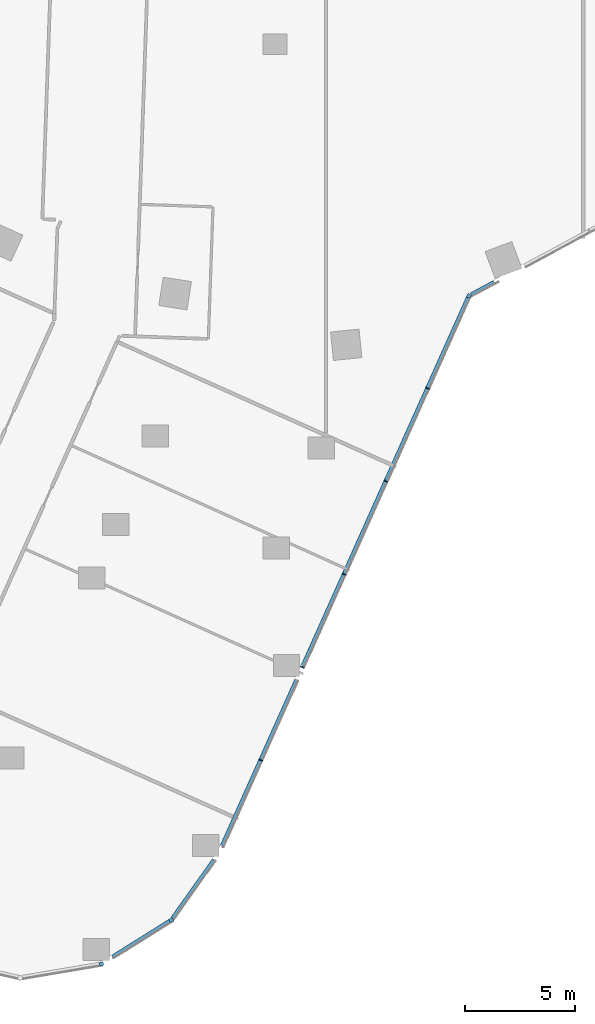
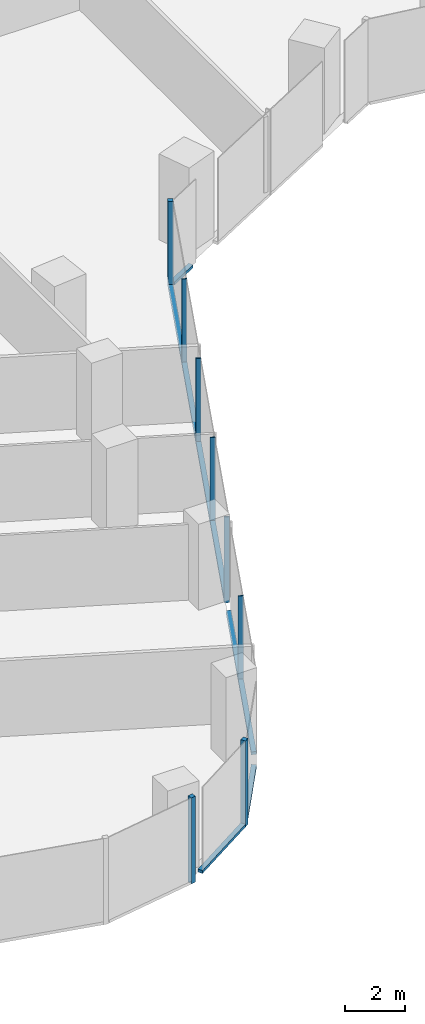
# One storey, part 5 of 34: 13 members, 5 elements without a shape of their own.
"""IFC4 building model written with IfcOpenShell, lengths in metres."""

from ifc_helpers import new_model, si_unit, direction, frame, origin, origin_2d, place, context, subcontext, project, spatial, rectangle, extrude, material, material_profile, profile_set, type_object, element, aggregate, save


model = new_model("IFC4")

# Units and contexts
model_context = context("Model", 3, precision=1e-05, world=origin(), true_north=direction((0.0, 1.0)))
body_context = subcontext(model_context, "Body", "Model", "MODEL_VIEW")
ifc_project = project(units=[si_unit("LENGTHUNIT", "METRE"), si_unit("AREAUNIT", "SQUARE_METRE"), si_unit("VOLUMEUNIT", "CUBIC_METRE"), si_unit("PLANEANGLEUNIT", "RADIAN"), si_unit("MASSUNIT", "GRAM", prefix="KILO")], contexts=[model_context])

# Site, building, storey
site_placement = place(None, origin())
site = spatial("IfcSite", under=ifc_project, at=site_placement, CompositionType="ELEMENT")
building_placement = place(site_placement, origin())
building = spatial("IfcBuilding", under=site, at=building_placement, Name="Orlundy Tower", CompositionType="ELEMENT")
storey_placement = place(building_placement, frame((0.0, 0.0, 127.199951171875)))
storey = spatial("IfcBuildingStorey", under=building, at=storey_placement, Name="L32", CompositionType="ELEMENT", Elevation=127.199951171875)

# Curtain wall, member
ifc_material_1 = material(Name="Aluminium bronze anodised", Category="aluminium")
curtain_wall_type = type_object("IfcCurtainWallType", Name="CW1 wall", PredefinedType="NOTDEFINED", material=ifc_material_1)
curtain_wall_1_placement = place(storey_placement, origin())
curtain_wall_1 = element("IfcCurtainWall", 1, at=curtain_wall_1_placement, inside=storey, type_object=curtain_wall_type, Name="CW1 run 018", PredefinedType="NOTDEFINED")
ifc_material_2 = material(Name="Aluminium bronze anodised", Category="aluminium")
ifc_material_profile_1 = material_profile(ifc_material_2, rectangle(XDim=0.179931640625, YDim=0.179931640625, at=origin_2d()), Name="CW1 corner post 180x180")
ifc_profile_set_1 = profile_set([ifc_material_profile_1], Name="Aluminium bronze anodised")
member_type_1 = type_object("IfcMemberType", Name="CW1 corner post 180x180", PredefinedType="MULLION", material=ifc_profile_set_1)
member_1_placement = place(storey_placement, frame((8.8125, -29.433837890625, -0.39990234375), z_axis=(0.0, 0.0, 1.0), x_axis=(0.912352676112, -0.409405171428, 0.0)))
member_1 = element("IfcMember", 2, at=member_1_placement, type_object=member_type_1, Name="CW1 mullion 51", PredefinedType="MULLION", context=body_context, shape_type="SweptSolid", body=[
    extrude(rectangle(XDim=0.179931640625, YDim=0.179931640625, at=origin_2d()), origin(), (0.0, 0.0, 1.0), 3.5),
])

curtain_wall_2_placement = place(storey_placement, origin())
curtain_wall_2 = element("IfcCurtainWall", 3, at=curtain_wall_2_placement, inside=storey, type_object=curtain_wall_type, Name="CW1 run 020", PredefinedType="NOTDEFINED")
member_2_placement = place(storey_placement, frame((-4.717041015625, -57.8056640625, -0.39990234375), z_axis=(0.0, 0.0, 1.0), x_axis=(0.531138080086, -0.847285276564, 0.0)))
member_2 = element("IfcMember", 4, at=member_2_placement, type_object=member_type_1, Name="CW1 mullion 58", PredefinedType="MULLION", context=body_context, shape_type="SweptSolid", body=[
    extrude(rectangle(XDim=0.179931640625, YDim=0.179931640625, at=origin_2d()), origin(), (0.0, 0.0, 1.0), 3.5),
])

curtain_wall_3_placement = place(storey_placement, origin())
curtain_wall_3 = element("IfcCurtainWall", 5, at=curtain_wall_3_placement, inside=storey, type_object=curtain_wall_type, Name="CW1 run 021", PredefinedType="NOTDEFINED")
member_3_placement = place(storey_placement, frame((-7.888427734375, -59.793701171875, -0.39990234375), z_axis=(0.0, 0.0, 1.0), x_axis=(0.166454797856, -0.986049086137, 0.0)))
member_3 = element("IfcMember", 6, at=member_3_placement, type_object=member_type_1, Name="CW1 mullion 59", PredefinedType="MULLION", context=body_context, shape_type="SweptSolid", body=[
    extrude(rectangle(XDim=0.179931640625, YDim=0.179931640625, at=origin_2d()), origin(), (0.0, 0.0, 1.0), 3.5),
])
aggregate(curtain_wall_3, [member_3])

# Member
ifc_material_3 = material(Name="Aluminium bronze anodised", Category="aluminium")
ifc_material_profile_2 = material_profile(ifc_material_3, rectangle(XDim=0.179931640625, YDim=0.050048828125, at=origin_2d()), Name="CW1 mullion 50x180")
ifc_profile_set_2 = profile_set([ifc_material_profile_2], Name="Aluminium bronze anodised")
member_type_2 = type_object("IfcMemberType", Name="CW1 mullion 50x180", PredefinedType="MULLION", material=ifc_profile_set_2)
member_4_placement = place(storey_placement, frame((6.92919921875, -33.630615234375, -0.39990234375), z_axis=(0.0, 0.0, 1.0), x_axis=(0.912352676112, -0.409405171428, 0.0)))
member_4 = element("IfcMember", 7, at=member_4_placement, type_object=member_type_2, Name="CW1 mullion 52", PredefinedType="MULLION", context=body_context, shape_type="SweptSolid", body=[
    extrude(rectangle(XDim=0.179931640625, YDim=0.050048828125, at=origin_2d()), origin(), (0.0, 0.0, 1.0), 3.5),
])

member_5_placement = place(storey_placement, frame((5.033447265625, -37.85546875, -0.39990234375), z_axis=(0.0, 0.0, 1.0), x_axis=(0.912352676112, -0.409405171428, 0.0)))
member_5 = element("IfcMember", 8, at=member_5_placement, type_object=member_type_2, Name="CW1 mullion 53", PredefinedType="MULLION", context=body_context, shape_type="SweptSolid", body=[
    extrude(rectangle(XDim=0.179931640625, YDim=0.050048828125, at=origin_2d()), origin(), (0.0, 0.0, 1.0), 3.5),
])

member_6_placement = place(storey_placement, frame((3.1376953125, -42.080322265625, -0.39990234375), z_axis=(0.0, 0.0, 1.0), x_axis=(0.912352676112, -0.409405171428, 0.0)))
member_6 = element("IfcMember", 9, at=member_6_placement, type_object=member_type_2, Name="CW1 mullion 54", PredefinedType="MULLION", context=body_context, shape_type="SweptSolid", body=[
    extrude(rectangle(XDim=0.179931640625, YDim=0.050048828125, at=origin_2d()), origin(), (0.0, 0.0, 1.0), 3.5),
])

member_7_placement = place(storey_placement, frame((1.24169921875, -46.30517578125, -0.39990234375), z_axis=(0.0, 0.0, 1.0), x_axis=(0.912352676112, -0.409405171428, 0.0)))
member_7 = element("IfcMember", 10, at=member_7_placement, type_object=member_type_2, Name="CW1 mullion 55", PredefinedType="MULLION", context=body_context, shape_type="SweptSolid", body=[
    extrude(rectangle(XDim=0.179931640625, YDim=0.050048828125, at=origin_2d()), origin(), (0.0, 0.0, 1.0), 3.5),
])

member_8_placement = place(storey_placement, frame((-0.654052734375, -50.530029296875, -0.39990234375), z_axis=(0.0, 0.0, 1.0), x_axis=(0.912352676112, -0.409405171428, 0.0)))
member_8 = element("IfcMember", 11, at=member_8_placement, type_object=member_type_2, Name="CW1 mullion 56", PredefinedType="MULLION", context=body_context, shape_type="SweptSolid", body=[
    extrude(rectangle(XDim=0.179931640625, YDim=0.050048828125, at=origin_2d()), origin(), (0.0, 0.0, 1.0), 3.5),
])

# Curtain wall, member
curtain_wall_4_placement = place(storey_placement, origin())
curtain_wall_4 = element("IfcCurtainWall", 12, at=curtain_wall_4_placement, inside=storey, type_object=curtain_wall_type, Name="CW1 run 017", PredefinedType="NOTDEFINED")
ifc_material_4 = material(Name="Aluminium bronze anodised", Category="aluminium")
ifc_material_profile_3 = material_profile(ifc_material_4, rectangle(XDim=0.179931640625, YDim=0.1201171875, at=origin_2d()), Name="CW1 transom 180x120")
ifc_profile_set_3 = profile_set([ifc_material_profile_3], Name="Aluminium bronze anodised")
member_type_3 = type_object("IfcMemberType", Name="CW1 transom 180x120", PredefinedType="USERDEFINED", material=ifc_profile_set_3)
member_9_placement = place(storey_placement, frame((9.961669921875, -28.81396484375, -0.33984375), z_axis=(-0.880155276698, -0.474685884455, 0.0), x_axis=(0.474685884455, -0.880155276698, 0.0)))
member_9 = element("IfcMember", 13, at=member_9_placement, type_object=member_type_3, Name="CW1 transom", ObjectType="TRANSOM", PredefinedType="USERDEFINED", context=body_context, shape_type="SweptSolid", body=[
    extrude(rectangle(XDim=0.179931640625, YDim=0.1201171875, at=origin_2d()), origin(), (0.0, 0.0, 1.0), 1.192138671875),
])
aggregate(curtain_wall_4, [member_9])

# Member
member_10_placement = place(storey_placement, frame((8.77587890625, -29.515869140625, -0.33984375), z_axis=(-0.409407216328, -0.912351758489, 0.0), x_axis=(0.912351758489, -0.409407216328, 0.0)))
member_10 = element("IfcMember", 14, at=member_10_placement, type_object=member_type_3, Name="CW1 transom", ObjectType="TRANSOM", PredefinedType="USERDEFINED", context=body_context, shape_type="SweptSolid", body=[
    extrude(rectangle(XDim=0.179931640625, YDim=0.1201171875, at=origin_2d()), origin(), (0.0, 0.0, 1.0), 18.3359375),
])

member_11_placement = place(storey_placement, frame((0.9833984375, -46.881103515625, -0.33984375), z_axis=(-0.409420400419, -0.912345842168, 0.0), x_axis=(0.912345842168, -0.409420400419, 0.0)))
member_11 = element("IfcMember", 15, at=member_11_placement, type_object=member_type_3, Name="CW1 transom", ObjectType="TRANSOM", PredefinedType="USERDEFINED", context=body_context, shape_type="SweptSolid", body=[
    extrude(rectangle(XDim=0.179931640625, YDim=0.1201171875, at=origin_2d()), origin(), (0.0, 0.0, 1.0), 8.26904296875),
])

aggregate(curtain_wall_1, [member_1, member_4, member_5, member_6, member_7, member_8, member_10, member_11])

# Curtain wall, member
curtain_wall_5_placement = place(storey_placement, origin())
curtain_wall_5 = element("IfcCurtainWall", 16, at=curtain_wall_5_placement, inside=storey, type_object=curtain_wall_type, Name="CW1 run 019", PredefinedType="NOTDEFINED")
member_12_placement = place(storey_placement, frame((-2.76611328125, -55.06201171875, -0.33984375), z_axis=(-0.579506151389, -0.814967864705, 0.0), x_axis=(0.814967864705, -0.579506151389, 0.0)))
member_12 = element("IfcMember", 17, at=member_12_placement, type_object=member_type_3, Name="CW1 transom", ObjectType="TRANSOM", PredefinedType="USERDEFINED", context=body_context, shape_type="SweptSolid", body=[
    extrude(rectangle(XDim=0.179931640625, YDim=0.1201171875, at=origin_2d()), origin(), (0.0, 0.0, 1.0), 3.269287109375),
])
aggregate(curtain_wall_5, [member_12])

# Member
member_13_placement = place(storey_placement, frame((-4.793212890625, -57.853515625, -0.33984375), z_axis=(-0.847297814047, -0.531118079442, 0.0), x_axis=(0.531118079442, -0.847297814047, 0.0)))
member_13 = element("IfcMember", 18, at=member_13_placement, type_object=member_type_3, Name="CW1 transom", ObjectType="TRANSOM", PredefinedType="USERDEFINED", context=body_context, shape_type="SweptSolid", body=[
    extrude(rectangle(XDim=0.179931640625, YDim=0.1201171875, at=origin_2d()), origin(), (0.0, 0.0, 1.0), 3.057861328125),
])

aggregate(curtain_wall_2, [member_2, member_13])

save(model, "model.ifc")
